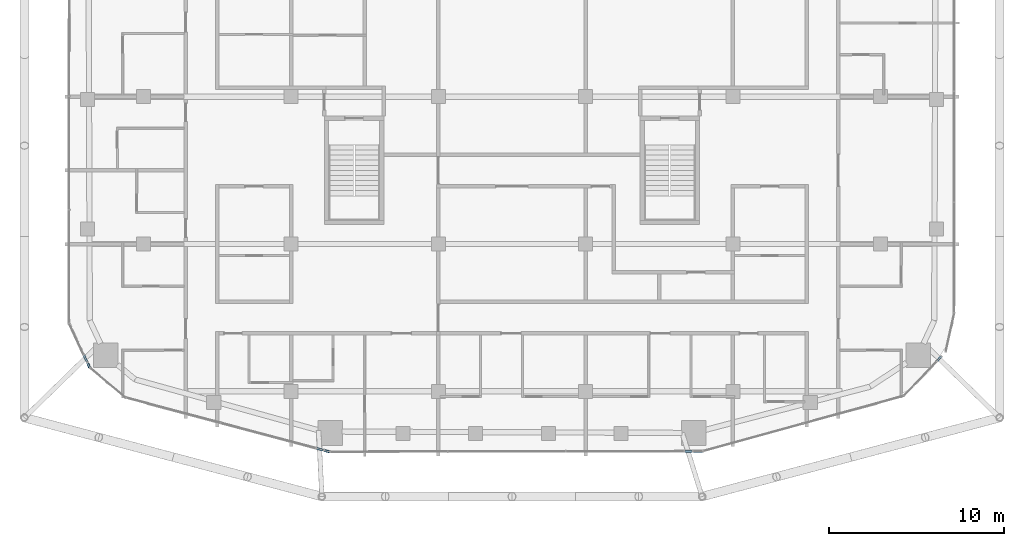
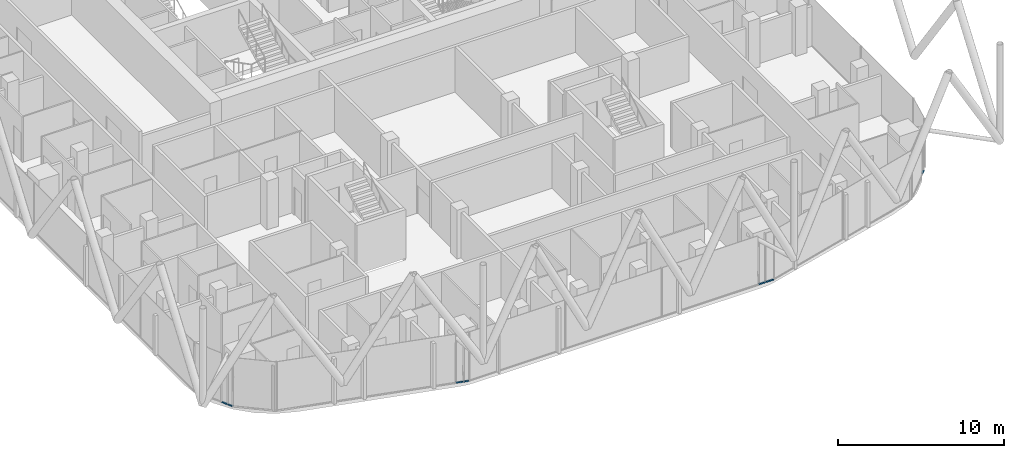
# One storey, part 12 of 28: 7 members, 7 elements without a shape of their own.
"""IFC4 building model written with IfcOpenShell, lengths in metres."""

from ifc_helpers import new_model, si_unit, direction, frame, origin, origin_2d, place, context, subcontext, project, spatial, rectangle, extrude, material, layer, layer_set, material_profile, profile_set, type_object, element, aggregate, save


model = new_model("IFC4")

# Units and contexts
model_context = context("Model", 3, precision=1e-05, world=origin(), true_north=direction((0.0, 1.0)))
body_context = subcontext(model_context, "Body", "Model", "MODEL_VIEW")
ifc_project = project(units=[si_unit("LENGTHUNIT", "METRE"), si_unit("AREAUNIT", "SQUARE_METRE"), si_unit("VOLUMEUNIT", "CUBIC_METRE"), si_unit("PLANEANGLEUNIT", "RADIAN"), si_unit("MASSUNIT", "GRAM", prefix="KILO")], contexts=[model_context])

# Site, building, storey
site_placement = place(None, origin())
site = spatial("IfcSite", under=ifc_project, at=site_placement, CompositionType="ELEMENT")
building_placement = place(site_placement, origin())
building = spatial("IfcBuilding", under=site, at=building_placement, Name="Marenta Gate Hotel Tower", CompositionType="ELEMENT")
storey_placement = place(building_placement, frame((0.0, 0.0, 198.5)))
storey = spatial("IfcBuildingStorey", under=building, at=storey_placement, Name="L45", CompositionType="ELEMENT", Elevation=198.5)

# Curtain wall, member
ifc_material_1 = material(Name="Tinted insulated glass in bronze anodised frame", Category="glass")
ifc_layer = layer(ifc_material_1, 0.1201171875)
ifc_layer_set = layer_set([ifc_layer], Name="Tinted insulated glass in bronze anodised frame")
curtain_wall_type = type_object("IfcCurtainWallType", Name="Tower unitised curtain wall CW1", PredefinedType="NOTDEFINED", material=ifc_layer_set)
curtain_wall_1_placement = place(storey_placement, origin())
curtain_wall_1 = element("IfcCurtainWall", 1, at=curtain_wall_1_placement, inside=storey, type_object=curtain_wall_type, Name="CW1 run G06", PredefinedType="NOTDEFINED")
ifc_material_2 = material(Name="Bronze anodised aluminium", Category="aluminium")
ifc_material_profile = material_profile(ifc_material_2, rectangle(XDim=0.1201171875, YDim=0.06005859375, at=origin_2d()), Name="Transom CW1 60x120 bronze anodised aluminium")
ifc_profile_set = profile_set([ifc_material_profile], Name="Bronze anodised aluminium")
member_type = type_object("IfcMemberType", Name="Transom CW1 60x120 bronze anodised aluminium", PredefinedType="USERDEFINED", material=ifc_profile_set)
member_1_placement = place(storey_placement, frame((-24.406005859375, -23.149169921875, 0.030029296875), z_axis=(0.42333108841, -0.905975049097, 0.0), x_axis=(0.905975049097, 0.42333108841, 0.0)))
member_1 = element("IfcMember", 2, at=member_1_placement, type_object=member_type, Name="CW1 transom 1.1", ObjectType="TRANSOM", PredefinedType="USERDEFINED", context=body_context, shape_type="SweptSolid", body=[
    extrude(rectangle(XDim=0.1201171875, YDim=0.06005859375, at=origin_2d()), origin(), (0.0, 0.0, 1.0), 0.419921875),
])
aggregate(curtain_wall_1, [member_1])

curtain_wall_2_placement = place(storey_placement, origin())
curtain_wall_2 = element("IfcCurtainWall", 3, at=curtain_wall_2_placement, inside=storey, type_object=curtain_wall_type, Name="CW1 run G07", PredefinedType="NOTDEFINED")
member_2_placement = place(storey_placement, frame((-24.202880859375, -23.583740234375, 0.030029296875), z_axis=(0.422602733719, -0.90631502771, 0.0), x_axis=(0.90631502771, 0.422602733719, 0.0)))
member_2 = element("IfcMember", 4, at=member_2_placement, type_object=member_type, Name="CW1 transom 1.1", ObjectType="TRANSOM", PredefinedType="USERDEFINED", context=body_context, shape_type="SweptSolid", body=[
    extrude(rectangle(XDim=0.1201171875, YDim=0.06005859375, at=origin_2d()), origin(), (0.0, 0.0, 1.0), 0.28369140625),
])
aggregate(curtain_wall_2, [member_2])

curtain_wall_3_placement = place(storey_placement, origin())
curtain_wall_3 = element("IfcCurtainWall", 5, at=curtain_wall_3_placement, inside=storey, type_object=curtain_wall_type, Name="CW1 run G10", PredefinedType="NOTDEFINED")
member_3_placement = place(storey_placement, frame((-11.14599609375, -28.450439453125, 0.030029296875), z_axis=(0.966371226399, -0.257151031083, 0.0), x_axis=(0.257151031083, 0.966371226399, 0.0)))
member_3 = element("IfcMember", 6, at=member_3_placement, type_object=member_type, Name="CW1 transom 1.1", ObjectType="TRANSOM", PredefinedType="USERDEFINED", context=body_context, shape_type="SweptSolid", body=[
    extrude(rectangle(XDim=0.1201171875, YDim=0.06005859375, at=origin_2d()), origin(), (0.0, 0.0, 1.0), 0.415771484375),
])
aggregate(curtain_wall_3, [member_3])

curtain_wall_4_placement = place(storey_placement, origin())
curtain_wall_4 = element("IfcCurtainWall", 7, at=curtain_wall_4_placement, inside=storey, type_object=curtain_wall_type, Name="CW1 run G11", PredefinedType="NOTDEFINED")
member_4_placement = place(storey_placement, frame((-10.686279296875, -28.57275390625, 0.030029296875), z_axis=(0.966262873917, -0.257557874058, 0.0), x_axis=(0.257557874058, 0.966262873917, 0.0)))
member_4 = element("IfcMember", 8, at=member_4_placement, type_object=member_type, Name="CW1 transom 1.1", ObjectType="TRANSOM", PredefinedType="USERDEFINED", context=body_context, shape_type="SweptSolid", body=[
    extrude(rectangle(XDim=0.1201171875, YDim=0.06005859375, at=origin_2d()), origin(), (0.0, 0.0, 1.0), 0.2900390625),
])
aggregate(curtain_wall_4, [member_4])

curtain_wall_5_placement = place(storey_placement, origin())
curtain_wall_5 = element("IfcCurtainWall", 9, at=curtain_wall_5_placement, inside=storey, type_object=curtain_wall_type, Name="CW1 run G13", PredefinedType="NOTDEFINED")
member_5_placement = place(storey_placement, frame((9.85498046875, -28.6142578125, 0.030029296875), z_axis=(0.9999984374, 0.001767822812, 0.0), x_axis=(-0.001767822812, 0.9999984374, 0.0)))
member_5 = element("IfcMember", 10, at=member_5_placement, type_object=member_type, Name="CW1 transom 1.1", ObjectType="TRANSOM", PredefinedType="USERDEFINED", context=body_context, shape_type="SweptSolid", body=[
    extrude(rectangle(XDim=0.1201171875, YDim=0.06005859375, at=origin_2d()), origin(), (0.0, 0.0, 1.0), 0.414306640625),
])
aggregate(curtain_wall_5, [member_5])

curtain_wall_6_placement = place(storey_placement, origin())
curtain_wall_6 = element("IfcCurtainWall", 11, at=curtain_wall_6_placement, inside=storey, type_object=curtain_wall_type, Name="CW1 run G14", PredefinedType="NOTDEFINED")
member_6_placement = place(storey_placement, frame((10.3291015625, -28.61328125, 0.030029296875), z_axis=(0.999999095908, 0.001344687265, 0.0), x_axis=(-0.001344687265, 0.999999095908, 0.0)))
member_6 = element("IfcMember", 12, at=member_6_placement, type_object=member_type, Name="CW1 transom 1.1", ObjectType="TRANSOM", PredefinedType="USERDEFINED", context=body_context, shape_type="SweptSolid", body=[
    extrude(rectangle(XDim=0.1201171875, YDim=0.06005859375, at=origin_2d()), origin(), (0.0, 0.0, 1.0), 0.544677734375),
])
aggregate(curtain_wall_6, [member_6])

curtain_wall_7_placement = place(storey_placement, origin())
curtain_wall_7 = element("IfcCurtainWall", 13, at=curtain_wall_7_placement, inside=storey, type_object=curtain_wall_type, Name="CW1 run G17", PredefinedType="NOTDEFINED")
member_7_placement = place(storey_placement, frame((24.244873046875, -23.461669921875, 0.030029296875), z_axis=(0.69228754022, 0.721621758026, 0.0), x_axis=(-0.721621758026, 0.69228754022, 0.0)))
member_7 = element("IfcMember", 14, at=member_7_placement, type_object=member_type, Name="CW1 transom 1.1", ObjectType="TRANSOM", PredefinedType="USERDEFINED", context=body_context, shape_type="SweptSolid", body=[
    extrude(rectangle(XDim=0.1201171875, YDim=0.06005859375, at=origin_2d()), origin(), (0.0, 0.0, 1.0), 0.3330078125),
])
aggregate(curtain_wall_7, [member_7])

save(model, "model.ifc")
